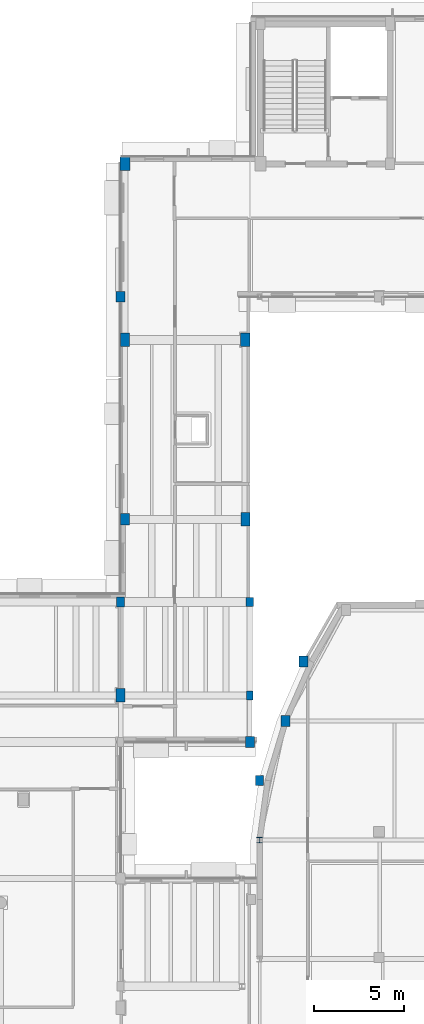
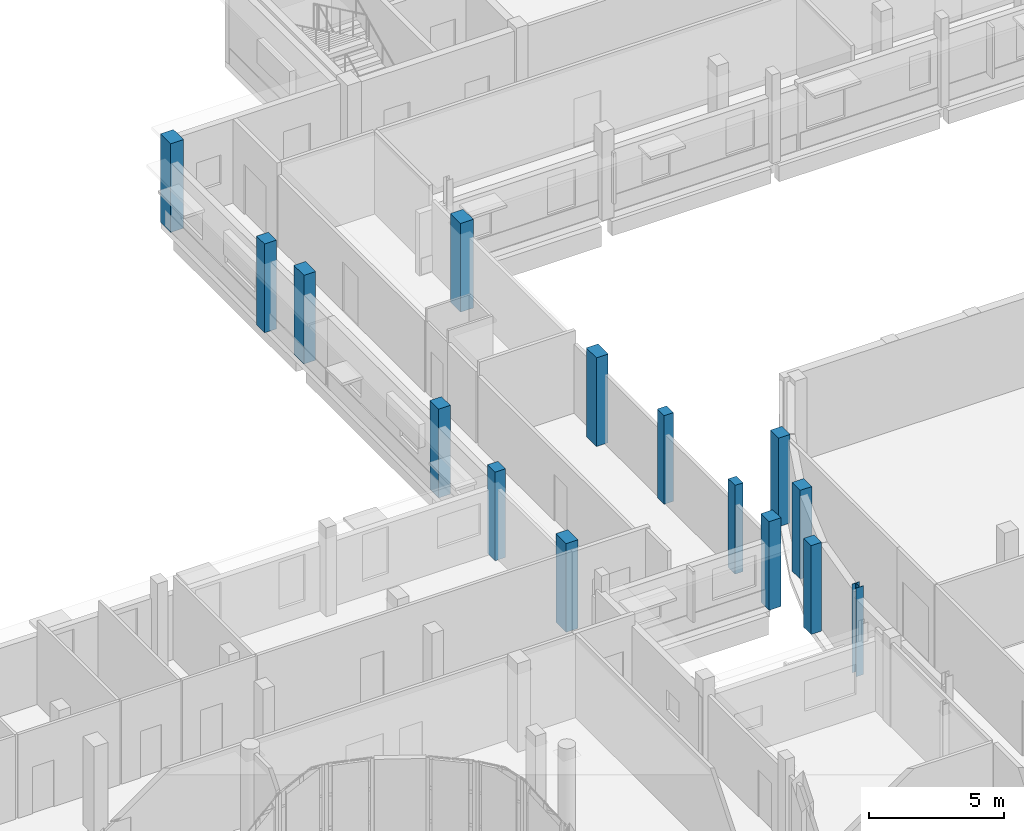
# One storey, part 11 of 105: 15 columns.
"""IFC4 building model written with IfcOpenShell, lengths in metres."""

from ifc_helpers import new_model, si_unit, direction, frame, origin, origin_2d, place, context, subcontext, project, spatial, rectangle, i_section, extrude, material, material_profile, profile_set, type_object, element, save


model = new_model("IFC4")

# Units and contexts
model_context = context("Model", 3, precision=1e-05, world=origin(), true_north=direction((0.0, 1.0)))
body_context = subcontext(model_context, "Body", "Model", "MODEL_VIEW")
ifc_project = project(units=[si_unit("LENGTHUNIT", "METRE"), si_unit("AREAUNIT", "SQUARE_METRE"), si_unit("VOLUMEUNIT", "CUBIC_METRE"), si_unit("PLANEANGLEUNIT", "RADIAN"), si_unit("MASSUNIT", "GRAM", prefix="KILO")], contexts=[model_context])

# Site, building, storey
site_placement = place(None, origin())
site = spatial("IfcSite", under=ifc_project, at=site_placement, CompositionType="ELEMENT")
building_placement = place(site_placement, origin())
building = spatial("IfcBuilding", under=site, at=building_placement, Name="Kelanivale Promenade Academy", CompositionType="ELEMENT")
storey_placement = place(building_placement, frame((0.0, 0.0, 4.199951171875)))
storey = spatial("IfcBuildingStorey", under=building, at=storey_placement, Name="L01", CompositionType="ELEMENT", Elevation=4.199951171875)

# Columns
ifc_material_1 = material(Name="Concrete C40/50", Category="concrete")
ifc_material_profile_1 = material_profile(ifc_material_1, rectangle(XDim=0.5, YDim=0.64990234375, at=origin_2d()), Name="RC-COL 500x650")
ifc_profile_set_1 = profile_set([ifc_material_profile_1], Name="Concrete C40/50")
column_type_1 = type_object("IfcColumnType", Name="C-11 RC-COL 500x650", PredefinedType="COLUMN", material=ifc_profile_set_1)
column_1_placement = place(storey_placement, frame((115.85009765625, 84.0, 0.0), z_axis=(0.0, 0.0, 1.0), x_axis=(1.0, 0.0, 0.0)))
element("IfcColumn", 1, at=column_1_placement, inside=storey, type_object=column_type_1, Name="Column C-11 at (115.8, 84.0) L01", PredefinedType="COLUMN", context=body_context, shape_type="SweptSolid", body=[
    extrude(rectangle(XDim=0.5, YDim=0.64990234375, at=origin_2d()), origin(), (0.0, 0.0, 1.0), 4.0),
])
ifc_material_profile_2 = material_profile(ifc_material_1, rectangle(XDim=0.5, YDim=0.75, at=origin_2d()), Name="RC-COL 500x750")
ifc_profile_set_2 = profile_set([ifc_material_profile_2], Name="Concrete C40/50")
column_type_2 = type_object("IfcColumnType", Name="C-12 RC-COL 500x750", PredefinedType="COLUMN", material=ifc_profile_set_2)
for number, where, z_axis, x_axis, name in (
    (2, (115.60009765625, 74.199951171875, 0.0), (0.0, 0.0, 1.0), (1.0, 0.0, 0.0), "Column C-12 at (115.6, 74.2) L01"),
    (3, (115.85009765625, 94.0, 0.0), (0.0, 0.0, 1.0), (1.0, 0.0, 0.0), "Column C-12 at (115.8, 94.0) L01"),
    (4, (122.550048828125, 84.0, 0.0), (0.0, 0.0, 1.0), (1.0, 0.0, 0.0), "Column C-12 at (122.5, 84.0) L01"),
):
    element("IfcColumn", number, at=place(storey_placement, frame(where, z_axis=z_axis, x_axis=x_axis)), inside=storey, type_object=column_type_2, Name=name, PredefinedType="COLUMN", context=body_context, shape_type="SweptSolid", body=[
        extrude(rectangle(XDim=0.5, YDim=0.75, at=origin_2d()), origin(), (0.0, 0.0, 1.0), 4.0),
    ])
ifc_material_profile_3 = material_profile(ifc_material_1, rectangle(XDim=0.550048828125, YDim=0.75, at=origin_2d()), Name="RC-COL 550x750")
ifc_profile_set_3 = profile_set([ifc_material_profile_3], Name="Concrete C40/50")
column_type_3 = type_object("IfcColumnType", Name="C-13 RC-COL 550x750", PredefinedType="COLUMN", material=ifc_profile_set_3)
for number, where, z_axis, x_axis, name in (
    (5, (115.85009765625, 103.800048828125, 0.0), (0.0, 0.0, 1.0), (1.0, 0.0, 0.0), "Column C-13 at (115.8, 103.8) L01"),
    (6, (122.550048828125, 94.0, 0.0), (0.0, 0.0, 1.0), (1.0, 0.0, 0.0), "Column C-13 at (122.5, 94.0) L01"),
):
    element("IfcColumn", number, at=place(storey_placement, frame(where, z_axis=z_axis, x_axis=x_axis)), inside=storey, type_object=column_type_3, Name=name, PredefinedType="COLUMN", context=body_context, shape_type="SweptSolid", body=[
        extrude(rectangle(XDim=0.550048828125, YDim=0.75, at=origin_2d()), origin(), (0.0, 0.0, 1.0), 4.0),
    ])
ifc_material_profile_4 = material_profile(ifc_material_1, rectangle(XDim=0.35009765625, YDim=0.5, at=origin_2d()), Name="RC-PIL 350x500")
ifc_profile_set_4 = profile_set([ifc_material_profile_4], Name="Concrete C40/50")
column_type_4 = type_object("IfcColumnType", Name="PL-15 RC-PIL 350x500", PredefinedType="PILASTER", material=ifc_profile_set_4)
column_2_placement = place(storey_placement, frame((122.800048828125, 74.199951171875, 0.0), z_axis=(0.0, 0.0, 1.0), x_axis=(1.0, 0.0, 0.0)))
element("IfcColumn", 7, at=column_2_placement, inside=storey, type_object=column_type_4, Name="Column PL-15 at (122.8, 74.2) L01", PredefinedType="PILASTER", context=body_context, shape_type="SweptSolid", body=[
    extrude(rectangle(XDim=0.35009765625, YDim=0.5, at=origin_2d()), origin(), (0.0, 0.0, 1.0), 4.0),
])
ifc_material_profile_5 = material_profile(ifc_material_1, rectangle(XDim=0.39990234375, YDim=0.5, at=origin_2d()), Name="RC-PIL 400x500")
ifc_profile_set_5 = profile_set([ifc_material_profile_5], Name="Concrete C40/50")
column_type_5 = type_object("IfcColumnType", Name="PL-16 RC-PIL 400x500", PredefinedType="PILASTER", material=ifc_profile_set_5)
column_3_placement = place(storey_placement, frame((122.800048828125, 79.39990234375, 0.0), z_axis=(0.0, 0.0, 1.0), x_axis=(1.0, 0.0, 0.0)))
element("IfcColumn", 8, at=column_3_placement, inside=storey, type_object=column_type_5, Name="Column PL-16 at (122.8, 79.4) L01", PredefinedType="PILASTER", context=body_context, shape_type="SweptSolid", body=[
    extrude(rectangle(XDim=0.39990234375, YDim=0.5, at=origin_2d()), origin(), (0.0, 0.0, 1.0), 4.0),
])
ifc_material_profile_6 = material_profile(ifc_material_1, rectangle(XDim=0.449951171875, YDim=0.550048828125, at=origin_2d()), Name="RC-PIL 450x550")
ifc_profile_set_6 = profile_set([ifc_material_profile_6], Name="Concrete C40/50")
column_type_6 = type_object("IfcColumnType", Name="PL-17 RC-PIL 450x550", PredefinedType="PILASTER", material=ifc_profile_set_6)
for number, where, z_axis, x_axis, name in (
    (9, (115.60009765625, 79.39990234375, 0.0), (0.0, 0.0, 1.0), (1.0, 0.0, 0.0), "Column PL-17 at (115.6, 79.4) L01"),
    (10, (123.340087890625, 69.45703125, 0.0), (0.0, 0.0, 1.0), (1.0, 0.0, 0.0), "Column PL-17 at (123.3, 69.5) L01"),
):
    element("IfcColumn", number, at=place(storey_placement, frame(where, z_axis=z_axis, x_axis=x_axis)), inside=storey, type_object=column_type_6, Name=name, PredefinedType="PILASTER", context=body_context, shape_type="SweptSolid", body=[
        extrude(rectangle(XDim=0.449951171875, YDim=0.550048828125, at=origin_2d()), origin(), (0.0, 0.0, 1.0), 4.0),
    ])
ifc_material_profile_7 = material_profile(ifc_material_1, rectangle(XDim=0.5, YDim=0.60009765625, at=origin_2d()), Name="RC-PIL 500x600")
ifc_profile_set_7 = profile_set([ifc_material_profile_7], Name="Concrete C40/50")
column_type_7 = type_object("IfcColumnType", Name="PL-18 RC-PIL 500x600", PredefinedType="PILASTER", material=ifc_profile_set_7)
for number, where, z_axis, x_axis, name in (
    (11, (115.60009765625, 96.39990234375, 0.0), (0.0, 0.0, 1.0), (1.0, 0.0, 0.0), "Column PL-18 at (115.6, 96.4) L01"),
    (12, (122.800048828125, 71.60009765625, 0.0), (0.0, 0.0, 1.0), (1.0, 0.0, 0.0), "Column PL-18 at (122.8, 71.6) L01"),
    (13, (124.800048828125, 72.77099609375, 0.0), (0.0, 0.0, 1.0), (1.0, 0.0, 0.0), "Column PL-18 at (124.8, 72.8) L01"),
    (14, (125.7900390625, 76.0859375, 0.0), (0.0, 0.0, 1.0), (1.0, 0.0, 0.0), "Column PL-18 at (125.8, 76.1) L01"),
):
    element("IfcColumn", number, at=place(storey_placement, frame(where, z_axis=z_axis, x_axis=x_axis)), inside=storey, type_object=column_type_7, Name=name, PredefinedType="PILASTER", context=body_context, shape_type="SweptSolid", body=[
        extrude(rectangle(XDim=0.5, YDim=0.60009765625, at=origin_2d()), origin(), (0.0, 0.0, 1.0), 4.0),
    ])
ifc_material_2 = material(Name="Steel S355", Category="steel")
ifc_material_profile_8 = material_profile(ifc_material_2, i_section(OverallWidth=0.307373046875, OverallDepth=0.314453125, WebThickness=0.011962890625, FlangeThickness=0.018798828125, FilletRadius=0.01513671875, at=origin_2d()), Name="UC 305x305x118")
ifc_profile_set_8 = profile_set([ifc_material_profile_8], Name="Steel S355")
column_type_8 = type_object("IfcColumnType", Name="SC-04 UC 305x305x118", PredefinedType="COLUMN", material=ifc_profile_set_8)
column_4_placement = place(storey_placement, frame((123.35009765625, 66.14306640625, 0.0), z_axis=(0.0, 0.0, 1.0), x_axis=(1.0, 0.0, 0.0)))
element("IfcColumn", 15, at=column_4_placement, inside=storey, type_object=column_type_8, Name="Column SC-04 at (123.3, 66.1) L01", PredefinedType="COLUMN", context=body_context, shape_type="SweptSolid", body=[
    extrude(i_section(OverallWidth=0.307373046875, OverallDepth=0.314453125, WebThickness=0.011962890625, FlangeThickness=0.018798828125, FilletRadius=0.01513671875, at=origin_2d()), origin(), (0.0, 0.0, 1.0), 4.0),
])

save(model, "model.ifc")
